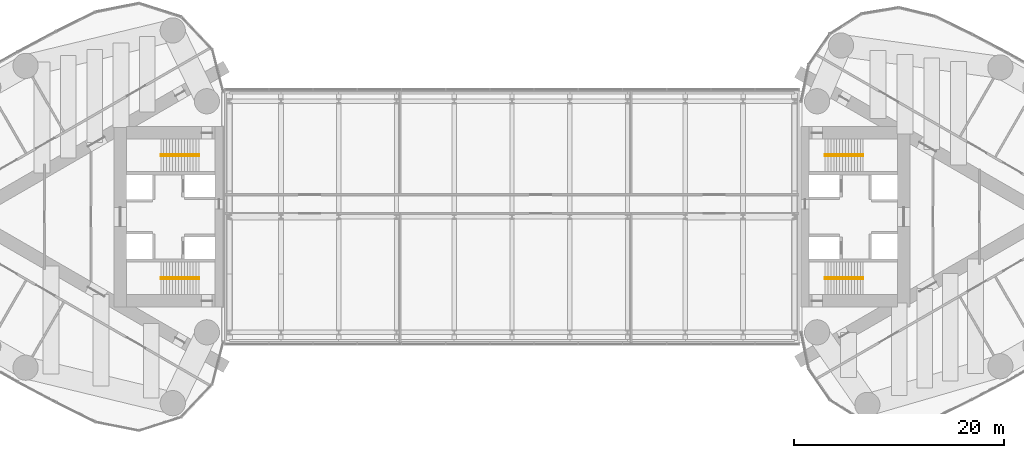
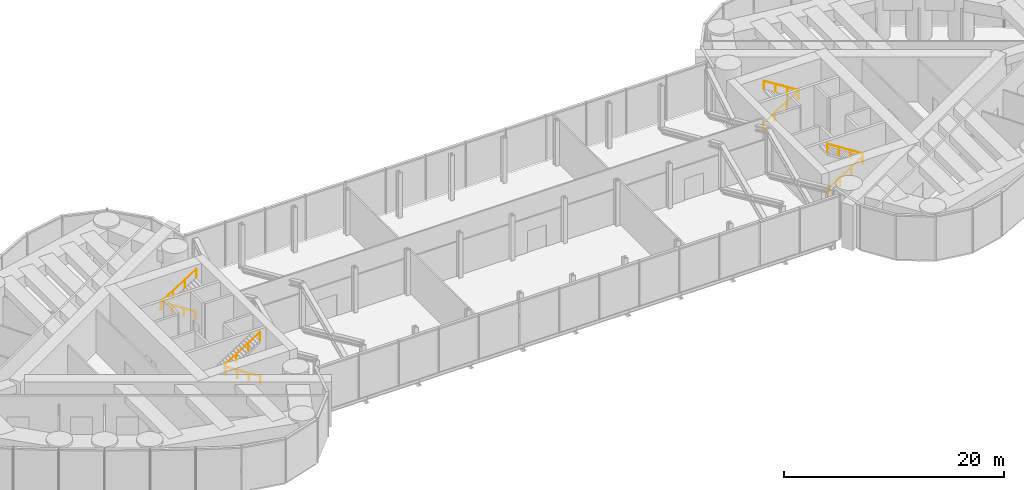
# One storey, part 19 of 19: 8 railings.
"""IFC4 building model written with IfcOpenShell, lengths in metres."""

from ifc_helpers import new_model, si_unit, direction, frame, origin, origin_2d, place, context, subcontext, project, spatial, circle, extrude, material, type_object, element, save


model = new_model("IFC4")

# Units and contexts
model_context = context("Model", 3, precision=1e-05, world=origin(), true_north=direction((0.0, 1.0)))
body_context = subcontext(model_context, "Body", "Model", "MODEL_VIEW")
ifc_project = project(units=[si_unit("LENGTHUNIT", "METRE"), si_unit("AREAUNIT", "SQUARE_METRE"), si_unit("VOLUMEUNIT", "CUBIC_METRE"), si_unit("PLANEANGLEUNIT", "RADIAN"), si_unit("MASSUNIT", "GRAM", prefix="KILO")], contexts=[model_context])

# Site, building, storey
site_placement = place(None, origin())
site = spatial("IfcSite", under=ifc_project, at=site_placement, CompositionType="ELEMENT")
building_placement = place(site_placement, origin())
building = spatial("IfcBuilding", under=site, at=building_placement, Name="Lancet Gate Hotel", CompositionType="ELEMENT")
storey_placement = place(building_placement, frame((0.0, 0.0, 263.300048828125)))
storey = spatial("IfcBuildingStorey", under=building, at=storey_placement, Name="L69", CompositionType="ELEMENT", Elevation=263.300048828125)

# Railings
ifc_material = material(Name="Stainless steel handrail", Category="steel")
railing_type = type_object("IfcRailingType", Name="Stair handrail 900", PredefinedType="HANDRAIL", material=ifc_material)
railing_1_placement = place(storey_placement, frame((-29.800048828125, 5.929931640625, 0.178466796875)))
element("IfcRailing", 1, at=railing_1_placement, inside=storey, type_object=railing_type, Name="ST1 handrail flight 1 L69", PredefinedType="HANDRAIL", context=body_context, shape_type="SweptSolid", body=[
    extrude(circle(Radius=0.02392578125, at=origin_2d()), frame((0.0, 0.0, 0.8759765625), z_axis=(-0.843111507901, 0.0, 0.53773877045), x_axis=(0.0, -1.0, 0.0)), (0.0, 0.0, 1.0), 4.317138671875),
    extrude(circle(Radius=0.02099609375, at=origin_2d()), origin(), (0.0, 0.0, 1.0), 0.851806640625),
    extrude(circle(Radius=0.02099609375, at=origin_2d()), frame((-1.21337890625, 0.0, 0.77392578125)), (0.0, 0.0, 1.0), 0.851806640625),
    extrude(circle(Radius=0.02099609375, at=origin_2d()), frame((-2.426513671875, 0.0, 1.547607421875)), (0.0, 0.0, 1.0), 0.851806640625),
    extrude(circle(Radius=0.02099609375, at=origin_2d()), frame((-3.639892578125, 0.0, 2.321533203125)), (0.0, 0.0, 1.0), 0.851806640625),
])
railing_2_placement = place(storey_placement, frame((-33.43994140625, 5.77001953125, 2.678466796875)))
element("IfcRailing", 2, at=railing_2_placement, inside=storey, type_object=railing_type, Name="ST1 handrail flight 2 L69", PredefinedType="HANDRAIL", context=body_context, shape_type="SweptSolid", body=[
    extrude(circle(Radius=0.02392578125, at=origin_2d()), frame((0.0, 0.0, 0.8759765625), z_axis=(0.843111507901, 0.0, 0.53773877045), x_axis=(0.0, 1.0, 0.0)), (0.0, 0.0, 1.0), 4.317138671875),
    extrude(circle(Radius=0.02099609375, at=origin_2d()), origin(), (0.0, 0.0, 1.0), 0.851806640625),
    extrude(circle(Radius=0.02099609375, at=origin_2d()), frame((1.21337890625, 0.0, 0.77392578125)), (0.0, 0.0, 1.0), 0.851806640625),
    extrude(circle(Radius=0.02099609375, at=origin_2d()), frame((2.426513671875, 0.0, 1.547607421875)), (0.0, 0.0, 1.0), 0.851806640625),
    extrude(circle(Radius=0.02099609375, at=origin_2d()), frame((3.639892578125, 0.0, 2.321533203125)), (0.0, 0.0, 1.0), 0.851806640625),
])
railing_3_placement = place(storey_placement, frame((-29.800048828125, -5.929931640625, 0.178466796875)))
element("IfcRailing", 3, at=railing_3_placement, inside=storey, type_object=railing_type, Name="ST2 handrail flight 1 L69", PredefinedType="HANDRAIL", context=body_context, shape_type="SweptSolid", body=[
    extrude(circle(Radius=0.02392578125, at=origin_2d()), frame((0.0, 0.0, 0.8759765625), z_axis=(-0.843111507901, 0.0, 0.53773877045), x_axis=(0.0, -1.0, 0.0)), (0.0, 0.0, 1.0), 4.317138671875),
    extrude(circle(Radius=0.02099609375, at=origin_2d()), origin(), (0.0, 0.0, 1.0), 0.851806640625),
    extrude(circle(Radius=0.02099609375, at=origin_2d()), frame((-1.21337890625, 0.0, 0.77392578125)), (0.0, 0.0, 1.0), 0.851806640625),
    extrude(circle(Radius=0.02099609375, at=origin_2d()), frame((-2.426513671875, 0.0, 1.547607421875)), (0.0, 0.0, 1.0), 0.851806640625),
    extrude(circle(Radius=0.02099609375, at=origin_2d()), frame((-3.639892578125, 0.0, 2.321533203125)), (0.0, 0.0, 1.0), 0.851806640625),
])
for number, where, name in (
    (4, (-33.43994140625, -5.77001953125, 2.678466796875), "ST2 handrail flight 2 L69"),
    (5, (29.800048828125, -5.929931640625, 0.178466796875), "ST3 handrail flight 1 L69"),
):
    element("IfcRailing", number, at=place(storey_placement, frame(where)), inside=storey, type_object=railing_type, Name=name, PredefinedType="HANDRAIL", context=body_context, shape_type="SweptSolid", body=[
        extrude(circle(Radius=0.02392578125, at=origin_2d()), frame((0.0, 0.0, 0.8759765625), z_axis=(0.843111507901, 0.0, 0.53773877045), x_axis=(0.0, 1.0, 0.0)), (0.0, 0.0, 1.0), 4.317138671875),
        extrude(circle(Radius=0.02099609375, at=origin_2d()), origin(), (0.0, 0.0, 1.0), 0.851806640625),
        extrude(circle(Radius=0.02099609375, at=origin_2d()), frame((1.21337890625, 0.0, 0.77392578125)), (0.0, 0.0, 1.0), 0.851806640625),
        extrude(circle(Radius=0.02099609375, at=origin_2d()), frame((2.426513671875, 0.0, 1.547607421875)), (0.0, 0.0, 1.0), 0.851806640625),
        extrude(circle(Radius=0.02099609375, at=origin_2d()), frame((3.639892578125, 0.0, 2.321533203125)), (0.0, 0.0, 1.0), 0.851806640625),
    ])
railing_4_placement = place(storey_placement, frame((33.43994140625, -5.77001953125, 2.678466796875)))
element("IfcRailing", 6, at=railing_4_placement, inside=storey, type_object=railing_type, Name="ST3 handrail flight 2 L69", PredefinedType="HANDRAIL", context=body_context, shape_type="SweptSolid", body=[
    extrude(circle(Radius=0.02392578125, at=origin_2d()), frame((0.0, 0.0, 0.8759765625), z_axis=(-0.843111507901, 0.0, 0.53773877045), x_axis=(0.0, -1.0, 0.0)), (0.0, 0.0, 1.0), 4.317138671875),
    extrude(circle(Radius=0.02099609375, at=origin_2d()), origin(), (0.0, 0.0, 1.0), 0.851806640625),
    extrude(circle(Radius=0.02099609375, at=origin_2d()), frame((-1.21337890625, 0.0, 0.77392578125)), (0.0, 0.0, 1.0), 0.851806640625),
    extrude(circle(Radius=0.02099609375, at=origin_2d()), frame((-2.426513671875, 0.0, 1.547607421875)), (0.0, 0.0, 1.0), 0.851806640625),
    extrude(circle(Radius=0.02099609375, at=origin_2d()), frame((-3.639892578125, 0.0, 2.321533203125)), (0.0, 0.0, 1.0), 0.851806640625),
])
railing_5_placement = place(storey_placement, frame((29.800048828125, 5.929931640625, 0.178466796875)))
element("IfcRailing", 7, at=railing_5_placement, inside=storey, type_object=railing_type, Name="ST4 handrail flight 1 L69", PredefinedType="HANDRAIL", context=body_context, shape_type="SweptSolid", body=[
    extrude(circle(Radius=0.02392578125, at=origin_2d()), frame((0.0, 0.0, 0.8759765625), z_axis=(0.843111507901, 0.0, 0.53773877045), x_axis=(0.0, 1.0, 0.0)), (0.0, 0.0, 1.0), 4.317138671875),
    extrude(circle(Radius=0.02099609375, at=origin_2d()), origin(), (0.0, 0.0, 1.0), 0.851806640625),
    extrude(circle(Radius=0.02099609375, at=origin_2d()), frame((1.21337890625, 0.0, 0.77392578125)), (0.0, 0.0, 1.0), 0.851806640625),
    extrude(circle(Radius=0.02099609375, at=origin_2d()), frame((2.426513671875, 0.0, 1.547607421875)), (0.0, 0.0, 1.0), 0.851806640625),
    extrude(circle(Radius=0.02099609375, at=origin_2d()), frame((3.639892578125, 0.0, 2.321533203125)), (0.0, 0.0, 1.0), 0.851806640625),
])
railing_6_placement = place(storey_placement, frame((33.43994140625, 5.77001953125, 2.678466796875)))
element("IfcRailing", 8, at=railing_6_placement, inside=storey, type_object=railing_type, Name="ST4 handrail flight 2 L69", PredefinedType="HANDRAIL", context=body_context, shape_type="SweptSolid", body=[
    extrude(circle(Radius=0.02392578125, at=origin_2d()), frame((0.0, 0.0, 0.8759765625), z_axis=(-0.843111507901, 0.0, 0.53773877045), x_axis=(0.0, -1.0, 0.0)), (0.0, 0.0, 1.0), 4.317138671875),
    extrude(circle(Radius=0.02099609375, at=origin_2d()), origin(), (0.0, 0.0, 1.0), 0.851806640625),
    extrude(circle(Radius=0.02099609375, at=origin_2d()), frame((-1.21337890625, 0.0, 0.77392578125)), (0.0, 0.0, 1.0), 0.851806640625),
    extrude(circle(Radius=0.02099609375, at=origin_2d()), frame((-2.426513671875, 0.0, 1.547607421875)), (0.0, 0.0, 1.0), 0.851806640625),
    extrude(circle(Radius=0.02099609375, at=origin_2d()), frame((-3.639892578125, 0.0, 2.321533203125)), (0.0, 0.0, 1.0), 0.851806640625),
])

save(model, "model.ifc")
